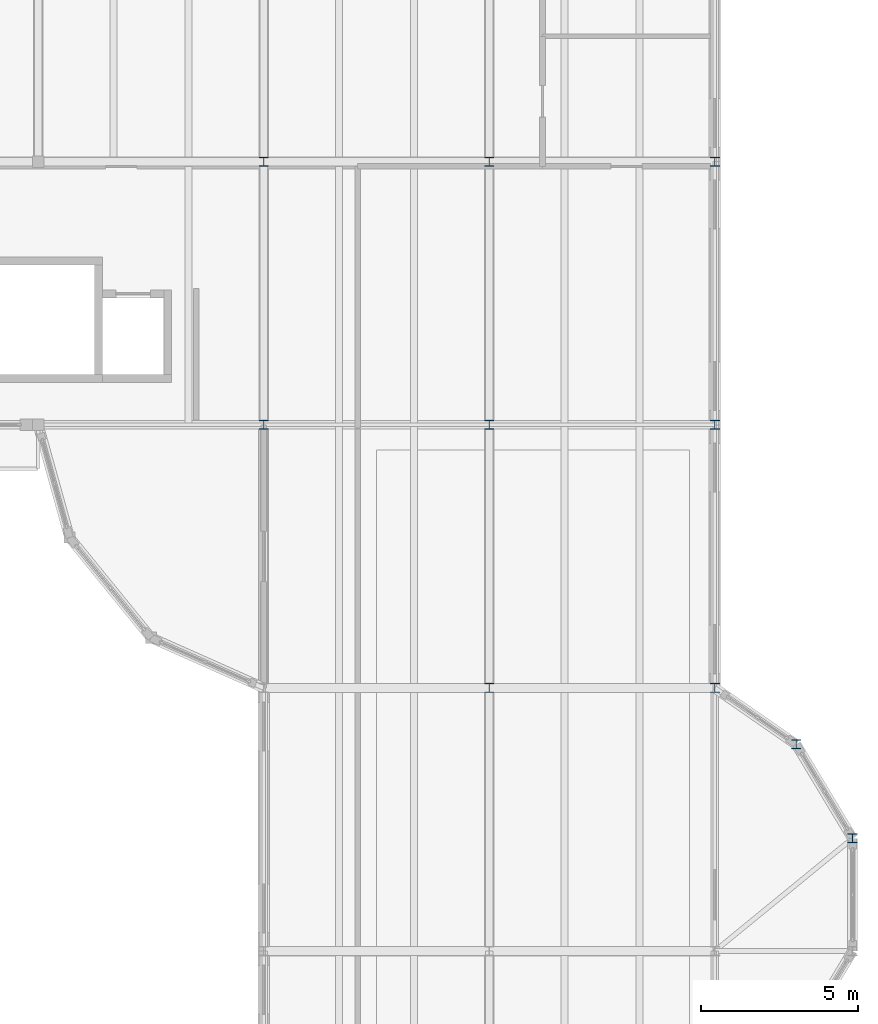
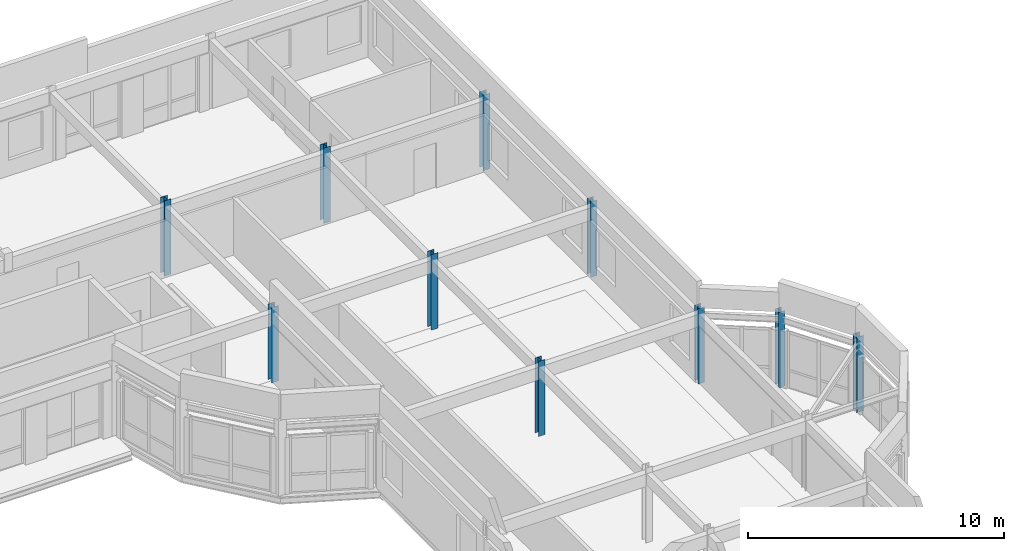
# One storey, part 3 of 21: 10 columns.
"""IFC4 building model written with IfcOpenShell, lengths in metres."""

from ifc_helpers import new_model, si_unit, direction, frame, origin, origin_2d, place, context, subcontext, project, spatial, i_section, extrude, material, material_profile, profile_set, type_object, element, save


model = new_model("IFC4")

# Units and contexts
model_context = context("Model", 3, precision=1e-05, world=origin(), true_north=direction((0.0, 1.0)))
body_context = subcontext(model_context, "Body", "Model", "MODEL_VIEW")
ifc_project = project(units=[si_unit("LENGTHUNIT", "METRE"), si_unit("AREAUNIT", "SQUARE_METRE"), si_unit("VOLUMEUNIT", "CUBIC_METRE"), si_unit("PLANEANGLEUNIT", "RADIAN"), si_unit("MASSUNIT", "GRAM", prefix="KILO")], contexts=[model_context])

# Site, building, storey
site_placement = place(None, origin())
site = spatial("IfcSite", under=ifc_project, at=site_placement, CompositionType="ELEMENT")
building_placement = place(site_placement, origin())
building = spatial("IfcBuilding", under=site, at=building_placement, Name="Kahlenmark Community Centre", CompositionType="ELEMENT")
storey_placement = place(building_placement, frame((0.0, 0.0, 21.60009765625)))
storey = spatial("IfcBuildingStorey", under=building, at=storey_placement, Name="L05", CompositionType="ELEMENT", Elevation=21.60009765625)

# Columns
ifc_material = material(Name="Steel S355", Category="steel")
ifc_material_profile = material_profile(ifc_material, i_section(OverallWidth=0.300048828125, OverallDepth=0.2900390625, WebThickness=0.008544921875, FlangeThickness=0.013916015625, at=origin_2d()), Name="HEA 300")
ifc_profile_set = profile_set([ifc_material_profile], Name="Steel S355")
column_type = type_object("IfcColumnType", Name="CT-HEA300", PredefinedType="COLUMN", material=ifc_profile_set)
for number, where, z_axis, x_axis, name in (
    (1, (72.39990234375, 97.60009765625, 0.0), (0.0, 0.0, 1.0), (1.0, 0.0, 0.0), "L05 column (72.4, 97.6)"),
    (2, (72.39990234375, 106.0, 0.0), (0.0, 0.0, 1.0), (1.0, 0.0, 0.0), "L05 column (72.4, 106.0)"),
    (3, (79.60009765625, 89.199951171875, 0.0), (0.0, 0.0, 1.0), (1.0, 0.0, 0.0), "L05 column (79.6, 89.2)"),
    (4, (79.60009765625, 97.60009765625, 0.0), (0.0, 0.0, 1.0), (1.0, 0.0, 0.0), "L05 column (79.6, 97.6)"),
    (5, (79.60009765625, 106.0, 0.0), (0.0, 0.0, 1.0), (1.0, 0.0, 0.0), "L05 column (79.6, 106.0)"),
    (6, (86.800048828125, 89.199951171875, 0.0), (0.0, 0.0, 1.0), (1.0, 0.0, 0.0), "L05 column (86.8, 89.2)"),
    (7, (86.800048828125, 97.60009765625, 0.0), (0.0, 0.0, 1.0), (1.0, 0.0, 0.0), "L05 column (86.8, 97.6)"),
    (8, (86.800048828125, 106.0, 0.0), (0.0, 0.0, 1.0), (1.0, 0.0, 0.0), "L05 column (86.8, 106.0)"),
    (9, (89.39990234375, 87.39990234375, 0.0), (0.0, 0.0, 1.0), (1.0, 0.0, 0.0), "L05 column (89.4, 87.4)"),
    (10, (91.199951171875, 84.39990234375, 0.0), (0.0, 0.0, 1.0), (1.0, 0.0, 0.0), "L05 column (91.2, 84.4)"),
):
    element("IfcColumn", number, at=place(storey_placement, frame(where, z_axis=z_axis, x_axis=x_axis)), inside=storey, type_object=column_type, Name=name, PredefinedType="COLUMN", context=body_context, shape_type="SweptSolid", body=[
        extrude(i_section(OverallWidth=0.300048828125, OverallDepth=0.2900390625, WebThickness=0.008544921875, FlangeThickness=0.013916015625, at=origin_2d()), origin(), (0.0, 0.0, 1.0), 3.599853515625),
    ])

save(model, "model.ifc")
